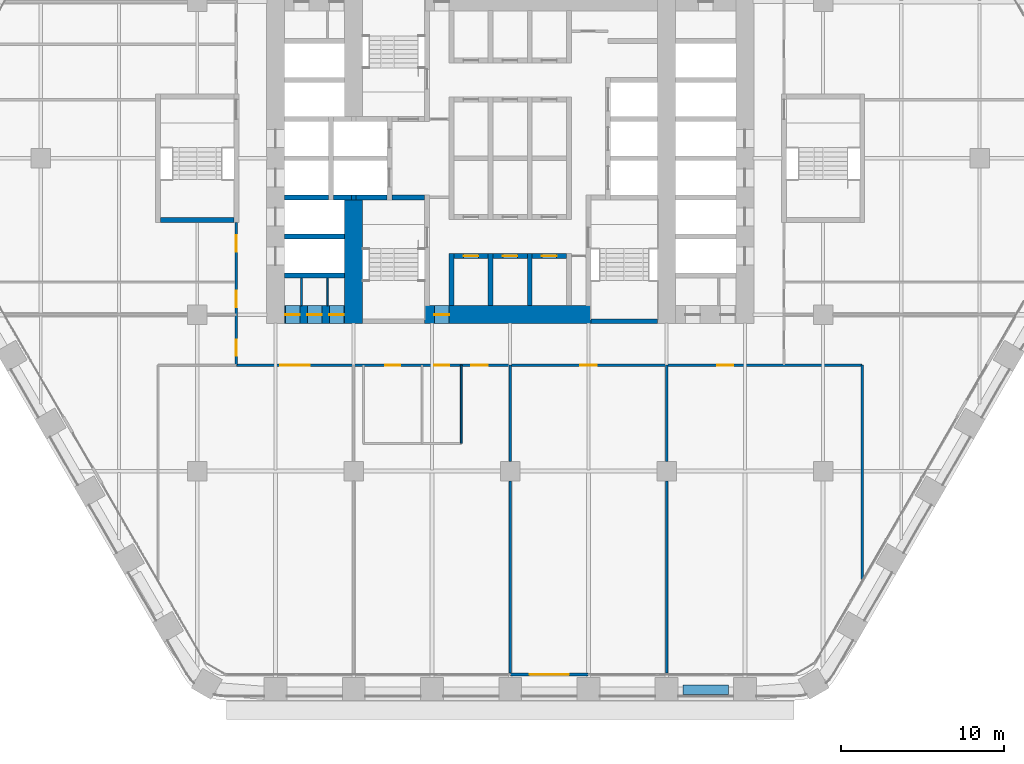
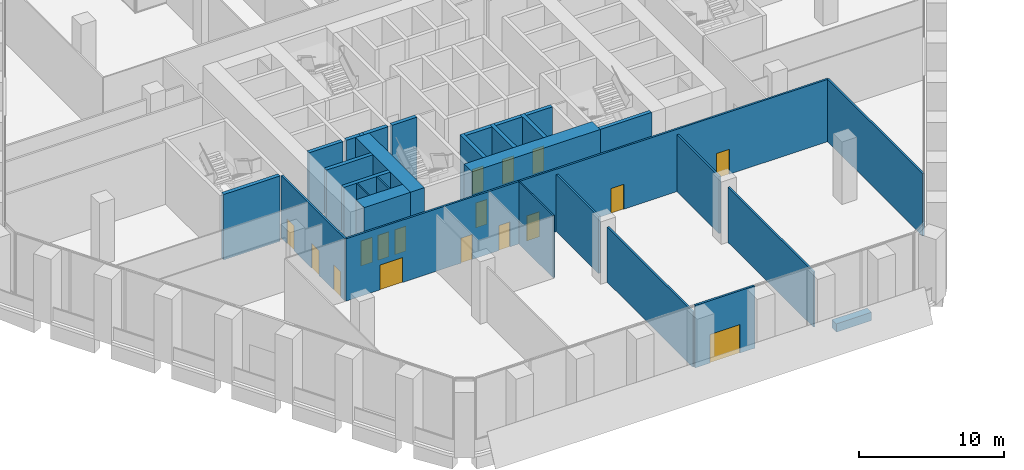
# One storey, part 19 of 30: 30 walls, 17 doors, 17 openings.
"""IFC4 building model written with IfcOpenShell, lengths in metres."""

from ifc_helpers import new_model, si_unit, direction, frame, frame_2d, origin, place, context, subcontext, project, spatial, rectangle, extrude, material, layer, layer_set, type_object, element, fill, save


model = new_model("IFC4")

# Units and contexts
model_context = context("Model", 3, precision=1e-05, world=origin(), true_north=direction((0.0, 1.0)))
body_context = subcontext(model_context, "Body", "Model", "MODEL_VIEW")
ifc_project = project(units=[si_unit("LENGTHUNIT", "METRE"), si_unit("AREAUNIT", "SQUARE_METRE"), si_unit("VOLUMEUNIT", "CUBIC_METRE"), si_unit("PLANEANGLEUNIT", "RADIAN"), si_unit("MASSUNIT", "GRAM", prefix="KILO")], contexts=[model_context])

# Site, building, storey
site_placement = place(None, origin())
site = spatial("IfcSite", under=ifc_project, at=site_placement, CompositionType="ELEMENT")
building_placement = place(site_placement, origin())
building = spatial("IfcBuilding", under=site, at=building_placement, Name="Kolab Exchange Tower", CompositionType="ELEMENT")
storey_placement = place(building_placement, frame((0.0, 0.0, 38.89990234375)))
storey = spatial("IfcBuildingStorey", under=building, at=storey_placement, Name="L07", CompositionType="ELEMENT", Elevation=38.89990234375)

# Wall, openings, doors
ifc_material_1 = material(Name="Concrete C80/95", Category="concrete")
ifc_layer_1 = layer(ifc_material_1, 1.10009765625)
ifc_layer_set_1 = layer_set([ifc_layer_1], Name="Concrete C80/95")
wall_type_1 = type_object("IfcWallType", Name="CORE WALL 1100 C80/95", PredefinedType="SHEAR", material=ifc_layer_set_1)
wall_1_placement = place(storey_placement, frame((-13.85009765625, -9.60009765625, -0.25), z_axis=(0.0, 0.0, 1.0), x_axis=(1.0, 0.0, 0.0)))
wall_1 = element("IfcWall", 1, at=wall_1_placement, inside=storey, type_object=wall_type_1, Name="wall/L07/core/002", PredefinedType="SHEAR", context=body_context, shape_type="SweptSolid", body=[
    extrude(rectangle(XDim=3.7001953125, YDim=1.10009765625, at=frame_2d((1.85009765625, 0.0))), origin(), (0.0, 0.0, 1.0), 5.5),
])
opening_1_placement = place(wall_1_placement, frame((0.050048828125, 0.0, 0.25)))
opening_1 = element("IfcOpeningElement", 2, at=opening_1_placement, cuts=wall_1, Name="Opening D6-112", PredefinedType="OPENING", context=body_context, shape_type="SweptSolid", body=[
    extrude(rectangle(XDim=0.89990234375, YDim=2.10009765625, at=frame_2d((0.449951171875, 1.050048828125))), frame((0.0, 0.56005859375, 0.0), z_axis=(0.0, -1.0, 0.0), x_axis=(1.0, 0.0, 0.0)), (0.0, 0.0, 1.0), 1.1201171875),
])
opening_2_placement = place(wall_1_placement, frame((1.39990234375, 0.0, 0.25)))
opening_2 = element("IfcOpeningElement", 3, at=opening_2_placement, cuts=wall_1, Name="Opening D6-113", PredefinedType="OPENING", context=body_context, shape_type="SweptSolid", body=[
    extrude(rectangle(XDim=0.89990234375, YDim=2.10009765625, at=frame_2d((0.449951171875, 1.050048828125))), frame((0.0, 0.56005859375, 0.0), z_axis=(0.0, -1.0, 0.0), x_axis=(1.0, 0.0, 0.0)), (0.0, 0.0, 1.0), 1.1201171875),
])
opening_3_placement = place(wall_1_placement, frame((2.75, 0.0, 0.25)))
opening_3 = element("IfcOpeningElement", 4, at=opening_3_placement, cuts=wall_1, Name="Opening D6-102", PredefinedType="OPENING", context=body_context, shape_type="SweptSolid", body=[
    extrude(rectangle(XDim=0.89990234375, YDim=2.10009765625, at=frame_2d((0.449951171875, 1.050048828125))), frame((0.0, 0.56005859375, 0.0), z_axis=(0.0, -1.0, 0.0), x_axis=(1.0, 0.0, 0.0)), (0.0, 0.0, 1.0), 1.1201171875),
])
ifc_material_2 = material(Name="Steel S235", Category="steel")
door_type_1 = type_object("IfcDoorType", Name="CORE DOOR 900 EI 120", OperationType="SINGLE_SWING_LEFT", PredefinedType="DOOR", material=ifc_material_2)
door_1_placement = place(opening_1_placement, origin())
door_1 = element("IfcDoor", 5, at=door_1_placement, inside=storey, type_object=door_type_1, Name="Service room door", OperationType="SINGLE_SWING_RIGHT", OverallHeight=2.10009765625, OverallWidth=0.89990234375, PredefinedType="DOOR", context=body_context, shape_type="SweptSolid", body=[
    extrude(rectangle(XDim=0.89990234375, YDim=2.10009765625, at=frame_2d((0.449951171875, 1.050048828125))), frame((0.0, 0.02490234375, 0.0), z_axis=(0.0, -1.0, 0.0), x_axis=(1.0, 0.0, 0.0)), (0.0, 0.0, 1.0), 0.050048828125),
])
fill(opening_1, door_1)
door_2_placement = place(opening_2_placement, origin())
door_2 = element("IfcDoor", 6, at=door_2_placement, inside=storey, type_object=door_type_1, Name="Service room door", OperationType="SINGLE_SWING_LEFT", OverallHeight=2.10009765625, OverallWidth=0.89990234375, PredefinedType="DOOR", context=body_context, shape_type="SweptSolid", body=[
    extrude(rectangle(XDim=0.89990234375, YDim=2.10009765625, at=frame_2d((0.449951171875, 1.050048828125))), frame((0.0, 0.02490234375, 0.0), z_axis=(0.0, -1.0, 0.0), x_axis=(1.0, 0.0, 0.0)), (0.0, 0.0, 1.0), 0.050048828125),
])
fill(opening_2, door_2)
door_3_placement = place(opening_3_placement, origin())
door_3 = element("IfcDoor", 7, at=door_3_placement, inside=storey, type_object=door_type_1, Name="Service room door", OperationType="SINGLE_SWING_LEFT", OverallHeight=2.10009765625, OverallWidth=0.89990234375, PredefinedType="DOOR", context=body_context, shape_type="SweptSolid", body=[
    extrude(rectangle(XDim=0.89990234375, YDim=2.10009765625, at=frame_2d((0.449951171875, 1.050048828125))), frame((0.0, 0.02490234375, 0.0), z_axis=(0.0, -1.0, 0.0), x_axis=(1.0, 0.0, 0.0)), (0.0, 0.0, 1.0), 0.050048828125),
])
fill(opening_3, door_3)

# Wall, opening, door
wall_2_placement = place(storey_placement, frame((-5.25, -9.60009765625, -0.25), z_axis=(0.0, 0.0, 1.0), x_axis=(1.0, 0.0, 0.0)))
wall_2 = element("IfcWall", 8, at=wall_2_placement, inside=storey, type_object=wall_type_1, Name="wall/L07/core/003", PredefinedType="SHEAR", context=body_context, shape_type="SweptSolid", body=[
    extrude(rectangle(XDim=10.199951171875, YDim=1.10009765625, at=frame_2d((5.10009765625, 0.0))), origin(), (0.0, 0.0, 1.0), 5.5),
])
opening_4_placement = place(wall_2_placement, frame((0.60009765625, 0.0, 0.25)))
opening_4 = element("IfcOpeningElement", 9, at=opening_4_placement, cuts=wall_2, Name="Opening D6-096", PredefinedType="OPENING", context=body_context, shape_type="SweptSolid", body=[
    extrude(rectangle(XDim=0.89990234375, YDim=2.10009765625, at=frame_2d((0.449951171875, 1.050048828125))), frame((0.0, 0.56005859375, 0.0), z_axis=(0.0, -1.0, 0.0), x_axis=(1.0, 0.0, 0.0)), (0.0, 0.0, 1.0), 1.1201171875),
])
door_4_placement = place(opening_4_placement, origin())
door_4 = element("IfcDoor", 10, at=door_4_placement, inside=storey, type_object=door_type_1, Name="Core lobby door", OperationType="SINGLE_SWING_RIGHT", OverallHeight=2.10009765625, OverallWidth=0.89990234375, PredefinedType="DOOR", context=body_context, shape_type="SweptSolid", body=[
    extrude(rectangle(XDim=0.89990234375, YDim=2.10009765625, at=frame_2d((0.449951171875, 1.050048828125))), frame((0.0, 0.02490234375, 0.0), z_axis=(0.0, -1.0, 0.0), x_axis=(1.0, 0.0, 0.0)), (0.0, 0.0, 1.0), 0.050048828125),
])
fill(opening_4, door_4)

# Wall
wall_3_placement = place(storey_placement, frame((-9.60009765625, -10.14990234375, -0.25), z_axis=(0.0, 0.0, 1.0), x_axis=(0.0, 1.0, 0.0)))
element("IfcWall", 11, at=wall_3_placement, inside=storey, type_object=wall_type_1, Name="wall/L07/core/059", PredefinedType="SHEAR", context=body_context, shape_type="SweptSolid", body=[
    extrude(rectangle(XDim=7.599853515625, YDim=1.10009765625, at=frame_2d((3.7998046875, 0.0))), origin(), (0.0, 0.0, 1.0), 5.5),
])

# Wall, opening, door
ifc_material_3 = material(Name="Aluminium EN AW-6063 T6", Category="aluminium")
ifc_layer_2 = layer(ifc_material_3, 0.159912109375)
ifc_layer_set_2 = layer_set([ifc_layer_2], Name="Aluminium EN AW-6063 T6")
wall_type_2 = type_object("IfcWallType", Name="DOOR SURROUND WALL 160 ALUMINIUM FRAMED", PredefinedType="PARTITIONING", material=ifc_layer_set_2)
wall_4_placement = place(storey_placement, frame((4.77001953125, -31.67529296875, 0.0), z_axis=(0.0, 0.0, 1.0), x_axis=(-1.0, 0.0, 0.0)))
wall_4 = element("IfcWall", 12, at=wall_4_placement, inside=storey, type_object=wall_type_2, Name="Door surround wall", PredefinedType="PARTITIONING", context=body_context, shape_type="SweptSolid", body=[
    extrude(rectangle(XDim=4.739990234375, YDim=0.159912109375, at=frame_2d((2.3701171875, 0.0))), origin(), (0.0, 0.0, 1.0), 5.25),
])
opening_5_placement = place(wall_4_placement, frame((1.169921875, 0.0, 0.0)))
opening_5 = element("IfcOpeningElement", 13, at=opening_5_placement, cuts=wall_4, Name="Opening GD1-020", PredefinedType="OPENING", context=body_context, shape_type="SweptSolid", body=[
    extrude(rectangle(XDim=2.39990234375, YDim=2.39990234375, at=frame_2d((1.199951171875, 1.199951171875))), frame((0.0, 0.08984375, 0.0), z_axis=(0.0, -1.0, 0.0), x_axis=(1.0, 0.0, 0.0)), (0.0, 0.0, 1.0), 0.179931640625),
])
door_type_2 = type_object("IfcDoorType", Name="LOGGIA SLIDING GLASS DOOR 2400 X 2400", OperationType="DOUBLE_DOOR_SINGLE_SWING", PredefinedType="DOOR", material=ifc_material_3)
door_5_placement = place(opening_5_placement, origin())
door_5 = element("IfcDoor", 14, at=door_5_placement, inside=storey, type_object=door_type_2, Name="Loggia door", OperationType="DOUBLE_DOOR_SLIDING", OverallHeight=2.39990234375, OverallWidth=2.39990234375, PredefinedType="DOOR", context=body_context, shape_type="SweptSolid", body=[
    extrude(rectangle(XDim=2.39990234375, YDim=2.39990234375, at=frame_2d((1.199951171875, 1.199951171875))), frame((0.0, 0.02490234375, 0.0), z_axis=(0.0, -1.0, 0.0), x_axis=(1.0, 0.0, 0.0)), (0.0, 0.0, 1.0), 0.050048828125),
])
fill(opening_5, door_5)

# Wall
ifc_material_4 = material(Name="Concrete C50/60", Category="concrete")
ifc_layer_3 = layer(ifc_material_4, 0.300048828125)
ifc_layer_set_3 = layer_set([ifc_layer_3], Name="Concrete C50/60")
wall_type_3 = type_object("IfcWallType", Name="LIFT SHAFT WALL 300 C50/60", PredefinedType="STANDARD", material=ifc_layer_set_3)
wall_5_placement = place(storey_placement, frame((-13.85009765625, -7.199951171875, -0.25), z_axis=(0.0, 0.0, 1.0), x_axis=(1.0, 0.0, 0.0)))
element("IfcWall", 15, at=wall_5_placement, inside=storey, type_object=wall_type_3, Name="wall/L07/core/005", PredefinedType="STANDARD", context=body_context, shape_type="SweptSolid", body=[
    extrude(rectangle(XDim=3.7001953125, YDim=0.300048828125, at=frame_2d((1.85009765625, 0.0))), origin(), (0.0, 0.0, 1.0), 5.5),
])

# Wall, opening, door
wall_6_placement = place(storey_placement, frame((-3.449951171875, -6.0, -0.25), z_axis=(0.0, 0.0, 1.0), x_axis=(1.0, 0.0, 0.0)))
wall_6 = element("IfcWall", 16, at=wall_6_placement, inside=storey, type_object=wall_type_3, Name="wall/L07/core/007", PredefinedType="STANDARD", context=body_context, shape_type="SweptSolid", body=[
    extrude(rectangle(XDim=2.099853515625, YDim=0.300048828125, at=frame_2d((1.0498046875, 0.0))), origin(), (0.0, 0.0, 1.0), 5.5),
])
opening_6_placement = place(wall_6_placement, frame((0.60009765625, 0.0, 0.25)))
opening_6 = element("IfcOpeningElement", 17, at=opening_6_placement, cuts=wall_6, Name="Opening D6-095", PredefinedType="OPENING", context=body_context, shape_type="SweptSolid", body=[
    extrude(rectangle(XDim=0.89990234375, YDim=2.10009765625, at=frame_2d((0.449951171875, 1.050048828125))), frame((0.0, 0.16015625, 0.0), z_axis=(0.0, -1.0, 0.0), x_axis=(1.0, 0.0, 0.0)), (0.0, 0.0, 1.0), 0.320068359375),
])
door_6_placement = place(opening_6_placement, frame((0.89990234375, 0.0, 0.0), z_axis=(0.0, 0.0, 1.0), x_axis=(-1.0, 0.0, 0.0)))
door_6 = element("IfcDoor", 18, at=door_6_placement, inside=storey, type_object=door_type_1, Name="Service room door", OperationType="SINGLE_SWING_LEFT", OverallHeight=2.10009765625, OverallWidth=0.89990234375, PredefinedType="DOOR", context=body_context, shape_type="SweptSolid", body=[
    extrude(rectangle(XDim=0.89990234375, YDim=2.10009765625, at=frame_2d((0.449951171875, 1.050048828125))), frame((0.0, 0.02490234375, 0.0), z_axis=(0.0, -1.0, 0.0), x_axis=(1.0, 0.0, 0.0)), (0.0, 0.0, 1.0), 0.050048828125),
])
fill(opening_6, door_6)

wall_7_placement = place(storey_placement, frame((-1.050048828125, -6.0, -0.25), z_axis=(0.0, 0.0, 1.0), x_axis=(1.0, 0.0, 0.0)))
wall_7 = element("IfcWall", 19, at=wall_7_placement, inside=storey, type_object=wall_type_3, Name="wall/L07/core/008", PredefinedType="STANDARD", context=body_context, shape_type="SweptSolid", body=[
    extrude(rectangle(XDim=2.10009765625, YDim=0.300048828125, at=frame_2d((1.050048828125, 0.0))), origin(), (0.0, 0.0, 1.0), 5.5),
])
opening_7_placement = place(wall_7_placement, frame((0.60009765625, 0.0, 0.25)))
opening_7 = element("IfcOpeningElement", 20, at=opening_7_placement, cuts=wall_7, Name="Opening D6-094", PredefinedType="OPENING", context=body_context, shape_type="SweptSolid", body=[
    extrude(rectangle(XDim=0.89990234375, YDim=2.10009765625, at=frame_2d((0.449951171875, 1.050048828125))), frame((0.0, 0.16015625, 0.0), z_axis=(0.0, -1.0, 0.0), x_axis=(1.0, 0.0, 0.0)), (0.0, 0.0, 1.0), 0.320068359375),
])
door_7_placement = place(opening_7_placement, frame((0.89990234375, 0.0, 0.0), z_axis=(0.0, 0.0, 1.0), x_axis=(-1.0, 0.0, 0.0)))
door_7 = element("IfcDoor", 21, at=door_7_placement, inside=storey, type_object=door_type_1, Name="Service room door", OperationType="SINGLE_SWING_LEFT", OverallHeight=2.10009765625, OverallWidth=0.89990234375, PredefinedType="DOOR", context=body_context, shape_type="SweptSolid", body=[
    extrude(rectangle(XDim=0.89990234375, YDim=2.10009765625, at=frame_2d((0.449951171875, 1.050048828125))), frame((0.0, 0.02490234375, 0.0), z_axis=(0.0, -1.0, 0.0), x_axis=(1.0, 0.0, 0.0)), (0.0, 0.0, 1.0), 0.050048828125),
])
fill(opening_7, door_7)

wall_8_placement = place(storey_placement, frame((1.35009765625, -6.0, -0.25), z_axis=(0.0, 0.0, 1.0), x_axis=(1.0, 0.0, 0.0)))
wall_8 = element("IfcWall", 22, at=wall_8_placement, inside=storey, type_object=wall_type_3, Name="wall/L07/core/009", PredefinedType="STANDARD", context=body_context, shape_type="SweptSolid", body=[
    extrude(rectangle(XDim=2.099853515625, YDim=0.300048828125, at=frame_2d((1.0498046875, 0.0))), origin(), (0.0, 0.0, 1.0), 5.5),
])
opening_8_placement = place(wall_8_placement, frame((0.60009765625, 0.0, 0.25)))
opening_8 = element("IfcOpeningElement", 23, at=opening_8_placement, cuts=wall_8, Name="Opening D6-093", PredefinedType="OPENING", context=body_context, shape_type="SweptSolid", body=[
    extrude(rectangle(XDim=0.89990234375, YDim=2.10009765625, at=frame_2d((0.449951171875, 1.050048828125))), frame((0.0, 0.16015625, 0.0), z_axis=(0.0, -1.0, 0.0), x_axis=(1.0, 0.0, 0.0)), (0.0, 0.0, 1.0), 0.320068359375),
])
door_8_placement = place(opening_8_placement, frame((0.89990234375, 0.0, 0.0), z_axis=(0.0, 0.0, 1.0), x_axis=(-1.0, 0.0, 0.0)))
door_8 = element("IfcDoor", 24, at=door_8_placement, inside=storey, type_object=door_type_1, Name="Service room door", OperationType="SINGLE_SWING_RIGHT", OverallHeight=2.10009765625, OverallWidth=0.89990234375, PredefinedType="DOOR", context=body_context, shape_type="SweptSolid", body=[
    extrude(rectangle(XDim=0.89990234375, YDim=2.10009765625, at=frame_2d((0.449951171875, 1.050048828125))), frame((0.0, 0.02490234375, 0.0), z_axis=(0.0, -1.0, 0.0), x_axis=(1.0, 0.0, 0.0)), (0.0, 0.0, 1.0), 0.050048828125),
])
fill(opening_8, door_8)

# Walls
wall_9_placement = place(storey_placement, frame((-13.85009765625, -4.800048828125, -0.25), z_axis=(0.0, 0.0, 1.0), x_axis=(1.0, 0.0, 0.0)))
element("IfcWall", 25, at=wall_9_placement, inside=storey, type_object=wall_type_3, Name="wall/L07/core/010", PredefinedType="STANDARD", context=body_context, shape_type="SweptSolid", body=[
    extrude(rectangle(XDim=3.7001953125, YDim=0.300048828125, at=frame_2d((1.85009765625, 0.0))), origin(), (0.0, 0.0, 1.0), 5.5),
])
wall_10_placement = place(storey_placement, frame((-13.85009765625, -2.39990234375, -0.25), z_axis=(0.0, 0.0, 1.0), x_axis=(1.0, 0.0, 0.0)))
element("IfcWall", 26, at=wall_10_placement, inside=storey, type_object=wall_type_3, Name="wall/L07/core/017", PredefinedType="STANDARD", context=body_context, shape_type="SweptSolid", body=[
    extrude(rectangle(XDim=2.7001953125, YDim=0.300048828125, at=frame_2d((1.35009765625, 0.0))), origin(), (0.0, 0.0, 1.0), 5.5),
])
wall_11_placement = place(storey_placement, frame((-10.85009765625, -2.39990234375, -0.25), z_axis=(0.0, 0.0, 1.0), x_axis=(1.0, 0.0, 0.0)))
element("IfcWall", 27, at=wall_11_placement, inside=storey, type_object=wall_type_3, Name="wall/L07/core/018", PredefinedType="STANDARD", context=body_context, shape_type="SweptSolid", body=[
    extrude(rectangle(XDim=1.10009765625, YDim=0.300048828125, at=frame_2d((0.550048828125, 0.0))), origin(), (0.0, 0.0, 1.0), 5.5),
])
for number, where, z_axis, x_axis, name in (
    (28, (-3.60009765625, -9.050048828125, -0.25), (0.0, 0.0, 1.0), (0.0, 1.0, 0.0), "wall/L07/core/066"),
    (29, (-1.199951171875, -9.050048828125, -0.25), (0.0, 0.0, 1.0), (0.0, 1.0, 0.0), "wall/L07/core/069"),
    (30, (1.199951171875, -9.050048828125, -0.25), (0.0, 0.0, 1.0), (0.0, 1.0, 0.0), "wall/L07/core/072"),
):
    element("IfcWall", number, at=place(storey_placement, frame(where, z_axis=z_axis, x_axis=x_axis)), inside=storey, type_object=wall_type_3, Name=name, PredefinedType="STANDARD", context=body_context, shape_type="SweptSolid", body=[
        extrude(rectangle(XDim=3.199951171875, YDim=0.300048828125, at=frame_2d((1.60009765625, 0.0))), origin(), (0.0, 0.0, 1.0), 5.5),
    ])
ifc_material_5 = material(Name="Gypsum board", Category="gypsum")
ifc_layer_4 = layer(ifc_material_5, 0.10009765625)
ifc_layer_set_4 = layer_set([ifc_layer_4], Name="Gypsum board")
wall_type_4 = type_object("IfcWallType", Name="PARTITION 100", PredefinedType="PARTITIONING", material=ifc_layer_set_4)
wall_12_placement = place(storey_placement, frame((-3.0, -17.5, 0.0), z_axis=(0.0, 0.0, 1.0), x_axis=(0.0, 1.0, 0.0)))
element("IfcWall", 31, at=wall_12_placement, inside=storey, type_object=wall_type_4, Name="Partition 015", PredefinedType="PARTITIONING", context=body_context, shape_type="SweptSolid", body=[
    extrude(rectangle(XDim=4.800048828125, YDim=0.10009765625, at=frame_2d((2.39990234375, 0.0))), origin(), (0.0, 0.0, 1.0), 5.25),
])
for number, where, z_axis, x_axis, name in (
    (32, (-11.199951171875, -9.050048828125, 0.0), (0.0, 0.0, 1.0), (0.0, 1.0, 0.0), "Partition 023"),
    (33, (-12.800048828125, -9.050048828125, 0.0), (0.0, 0.0, 1.0), (0.0, 1.0, 0.0), "Partition 025"),
):
    element("IfcWall", number, at=place(storey_placement, frame(where, z_axis=z_axis, x_axis=x_axis)), inside=storey, type_object=wall_type_4, Name=name, PredefinedType="PARTITIONING", context=body_context, shape_type="SweptSolid", body=[
        extrude(rectangle(XDim=1.699951171875, YDim=0.10009765625, at=frame_2d((0.85009765625, 0.0))), origin(), (0.0, 0.0, 1.0), 5.25),
    ])
ifc_layer_5 = layer(ifc_material_5, 0.14990234375)
ifc_layer_set_5 = layer_set([ifc_layer_5], Name="Gypsum board")
wall_type_5 = type_object("IfcWallType", Name="PARTITION 150 FIRE-RATED", PredefinedType="PARTITIONING", material=ifc_layer_set_5)
wall_13_placement = place(storey_placement, frame((21.60009765625, -25.8583984375, 0.0), z_axis=(0.0, 0.0, 1.0), x_axis=(0.0, 1.0, 0.0)))
element("IfcWall", 34, at=wall_13_placement, inside=storey, type_object=wall_type_5, Name="Partition 000", PredefinedType="PARTITIONING", context=body_context, shape_type="SweptSolid", body=[
    extrude(rectangle(XDim=13.158447265625, YDim=0.14990234375, at=frame_2d((6.5791015625, 0.0))), origin(), (0.0, 0.0, 1.0), 5.25),
])
wall_14_placement = place(storey_placement, frame((9.60009765625, -31.58544921875, 0.0), z_axis=(0.0, 0.0, 1.0), x_axis=(0.0, 1.0, 0.0)))
element("IfcWall", 35, at=wall_14_placement, inside=storey, type_object=wall_type_5, Name="Partition 008", PredefinedType="PARTITIONING", context=body_context, shape_type="SweptSolid", body=[
    extrude(rectangle(XDim=11.785400390625, YDim=0.14990234375, at=frame_2d((5.892578125, 0.0))), origin(), (0.0, 0.0, 1.0), 4.64208984375),
])
wall_15_placement = place(storey_placement, frame((9.60009765625, -18.60009765625, 0.0), z_axis=(0.0, 0.0, 1.0), x_axis=(0.0, 1.0, 0.0)))
element("IfcWall", 36, at=wall_15_placement, inside=storey, type_object=wall_type_5, Name="Partition 009", PredefinedType="PARTITIONING", context=body_context, shape_type="SweptSolid", body=[
    extrude(rectangle(XDim=5.900146484375, YDim=0.14990234375, at=frame_2d((2.9501953125, 0.0))), origin(), (0.0, 0.0, 1.0), 4.793212890625),
])
wall_16_placement = place(storey_placement, frame((0.0, -31.595458984375, 0.0), z_axis=(0.0, 0.0, 1.0), x_axis=(0.0, 1.0, 0.0)))
element("IfcWall", 37, at=wall_16_placement, inside=storey, type_object=wall_type_5, Name="Partition 013", PredefinedType="PARTITIONING", context=body_context, shape_type="SweptSolid", body=[
    extrude(rectangle(XDim=11.79541015625, YDim=0.14990234375, at=frame_2d((5.897705078125, 0.0))), origin(), (0.0, 0.0, 1.0), 4.64208984375),
])
wall_17_placement = place(storey_placement, frame((0.0, -18.60009765625, 0.0), z_axis=(0.0, 0.0, 1.0), x_axis=(0.0, 1.0, 0.0)))
element("IfcWall", 38, at=wall_17_placement, inside=storey, type_object=wall_type_5, Name="Partition 014", PredefinedType="PARTITIONING", context=body_context, shape_type="SweptSolid", body=[
    extrude(rectangle(XDim=5.900146484375, YDim=0.14990234375, at=frame_2d((2.9501953125, 0.0))), origin(), (0.0, 0.0, 1.0), 4.793212890625),
])

# Wall, openings, doors
wall_18_placement = place(storey_placement, frame((-16.800048828125, -12.699951171875, 0.0), z_axis=(0.0, 0.0, 1.0), x_axis=(0.0, 1.0, 0.0)))
wall_18 = element("IfcWall", 39, at=wall_18_placement, inside=storey, type_object=wall_type_5, Name="Partition 026", PredefinedType="PARTITIONING", context=body_context, shape_type="SweptSolid", body=[
    extrude(rectangle(XDim=8.75, YDim=0.14990234375, at=frame_2d((4.375, 0.0))), origin(), (0.0, 0.0, 1.0), 5.25),
])
opening_9_placement = place(wall_18_placement, frame((0.570068359375, 0.0, 0.0)))
opening_9 = element("IfcOpeningElement", 40, at=opening_9_placement, cuts=wall_18, Name="Opening D1-103", PredefinedType="OPENING", context=body_context, shape_type="SweptSolid", body=[
    extrude(rectangle(XDim=1.0, YDim=2.10009765625, at=frame_2d((0.5, 1.050048828125))), frame((0.0, 0.0849609375, 0.0), z_axis=(0.0, -1.0, 0.0), x_axis=(1.0, 0.0, 0.0)), (0.0, 0.0, 1.0), 0.169921875),
])
opening_10_placement = place(wall_18_placement, frame((3.56494140625, 0.0, 0.0)))
opening_10 = element("IfcOpeningElement", 41, at=opening_10_placement, cuts=wall_18, Name="Opening D1-104", PredefinedType="OPENING", context=body_context, shape_type="SweptSolid", body=[
    extrude(rectangle(XDim=1.0, YDim=2.10009765625, at=frame_2d((0.5, 1.050048828125))), frame((0.0, 0.0849609375, 0.0), z_axis=(0.0, -1.0, 0.0), x_axis=(1.0, 0.0, 0.0)), (0.0, 0.0, 1.0), 0.169921875),
])
opening_11_placement = place(wall_18_placement, frame((6.97509765625, 0.0, 0.0)))
opening_11 = element("IfcOpeningElement", 42, at=opening_11_placement, cuts=wall_18, Name="Opening D1-105", PredefinedType="OPENING", context=body_context, shape_type="SweptSolid", body=[
    extrude(rectangle(XDim=1.0, YDim=2.10009765625, at=frame_2d((0.5, 1.050048828125))), frame((0.0, 0.0849609375, 0.0), z_axis=(0.0, -1.0, 0.0), x_axis=(1.0, 0.0, 0.0)), (0.0, 0.0, 1.0), 0.169921875),
])
door_type_3 = type_object("IfcDoorType", Name="FLUSH DOOR 1000 FD60", OperationType="SINGLE_SWING_LEFT", PredefinedType="DOOR", material=ifc_material_2)
door_9_placement = place(opening_9_placement, origin())
door_9 = element("IfcDoor", 43, at=door_9_placement, inside=storey, type_object=door_type_3, Name="Door L07-065", OperationType="SINGLE_SWING_LEFT", OverallHeight=2.10009765625, OverallWidth=1.0, PredefinedType="DOOR", context=body_context, shape_type="SweptSolid", body=[
    extrude(rectangle(XDim=1.0, YDim=2.10009765625, at=frame_2d((0.5, 1.050048828125))), frame((0.0, 0.02490234375, 0.0), z_axis=(0.0, -1.0, 0.0), x_axis=(1.0, 0.0, 0.0)), (0.0, 0.0, 1.0), 0.050048828125),
])
fill(opening_9, door_9)
door_10_placement = place(opening_10_placement, origin())
door_10 = element("IfcDoor", 44, at=door_10_placement, inside=storey, type_object=door_type_3, Name="Door L07-066", OperationType="SINGLE_SWING_LEFT", OverallHeight=2.10009765625, OverallWidth=1.0, PredefinedType="DOOR", context=body_context, shape_type="SweptSolid", body=[
    extrude(rectangle(XDim=1.0, YDim=2.10009765625, at=frame_2d((0.5, 1.050048828125))), frame((0.0, 0.02490234375, 0.0), z_axis=(0.0, -1.0, 0.0), x_axis=(1.0, 0.0, 0.0)), (0.0, 0.0, 1.0), 0.050048828125),
])
fill(opening_10, door_10)
door_11_placement = place(opening_11_placement, origin())
door_11 = element("IfcDoor", 45, at=door_11_placement, inside=storey, type_object=door_type_3, Name="Door L07-067", OperationType="SINGLE_SWING_RIGHT", OverallHeight=2.10009765625, OverallWidth=1.0, PredefinedType="DOOR", context=body_context, shape_type="SweptSolid", body=[
    extrude(rectangle(XDim=1.0, YDim=2.10009765625, at=frame_2d((0.5, 1.050048828125))), frame((0.0, 0.02490234375, 0.0), z_axis=(0.0, -1.0, 0.0), x_axis=(1.0, 0.0, 0.0)), (0.0, 0.0, 1.0), 0.050048828125),
])
fill(opening_11, door_11)

wall_19_placement = place(storey_placement, frame((-16.800048828125, -12.699951171875, 0.0), z_axis=(0.0, 0.0, 1.0), x_axis=(1.0, 0.0, 0.0)))
wall_19 = element("IfcWall", 46, at=wall_19_placement, inside=storey, type_object=wall_type_5, Name="Partition 032", PredefinedType="PARTITIONING", context=body_context, shape_type="SweptSolid", body=[
    extrude(rectangle(XDim=38.400146484375, YDim=0.14990234375, at=frame_2d((19.2001953125, 0.0))), origin(), (0.0, 0.0, 1.0), 5.25),
])
opening_12_placement = place(wall_19_placement, frame((2.699951171875, 0.0, 0.0)))
opening_12 = element("IfcOpeningElement", 47, at=opening_12_placement, cuts=wall_19, Name="Opening D2-021", PredefinedType="OPENING", context=body_context, shape_type="SweptSolid", body=[
    extrude(rectangle(XDim=1.800048828125, YDim=2.10009765625, at=frame_2d((0.89990234375, 1.050048828125))), frame((0.0, 0.0849609375, 0.0), z_axis=(0.0, -1.0, 0.0), x_axis=(1.0, 0.0, 0.0)), (0.0, 0.0, 1.0), 0.169921875),
])
opening_13_placement = place(wall_19_placement, frame((14.4150390625, 0.0, 0.0)))
opening_13 = element("IfcOpeningElement", 48, at=opening_13_placement, cuts=wall_19, Name="Opening D1-095", PredefinedType="OPENING", context=body_context, shape_type="SweptSolid", body=[
    extrude(rectangle(XDim=1.0, YDim=2.10009765625, at=frame_2d((0.5, 1.050048828125))), frame((0.0, 0.0849609375, 0.0), z_axis=(0.0, -1.0, 0.0), x_axis=(1.0, 0.0, 0.0)), (0.0, 0.0, 1.0), 0.169921875),
])
opening_14_placement = place(wall_19_placement, frame((21.10009765625, 0.0, 0.0)))
opening_14 = element("IfcOpeningElement", 49, at=opening_14_placement, cuts=wall_19, Name="Opening D1-096", PredefinedType="OPENING", context=body_context, shape_type="SweptSolid", body=[
    extrude(rectangle(XDim=1.0, YDim=2.10009765625, at=frame_2d((0.5, 1.050048828125))), frame((0.0, 0.0849609375, 0.0), z_axis=(0.0, -1.0, 0.0), x_axis=(1.0, 0.0, 0.0)), (0.0, 0.0, 1.0), 0.169921875),
])
opening_15_placement = place(wall_19_placement, frame((29.5, 0.0, 0.0)))
opening_15 = element("IfcOpeningElement", 50, at=opening_15_placement, cuts=wall_19, Name="Opening D1-097", PredefinedType="OPENING", context=body_context, shape_type="SweptSolid", body=[
    extrude(rectangle(XDim=1.0, YDim=2.10009765625, at=frame_2d((0.5, 1.050048828125))), frame((0.0, 0.0849609375, 0.0), z_axis=(0.0, -1.0, 0.0), x_axis=(1.0, 0.0, 0.0)), (0.0, 0.0, 1.0), 0.169921875),
])
opening_16_placement = place(wall_19_placement, frame((9.14990234375, 0.0, 0.0)))
opening_16 = element("IfcOpeningElement", 51, at=opening_16_placement, cuts=wall_19, Name="Opening D3-011", PredefinedType="OPENING", context=body_context, shape_type="SweptSolid", body=[
    extrude(rectangle(XDim=0.89990234375, YDim=2.10009765625, at=frame_2d((0.449951171875, 1.050048828125))), frame((0.0, 0.0849609375, 0.0), z_axis=(0.0, -1.0, 0.0), x_axis=(1.0, 0.0, 0.0)), (0.0, 0.0, 1.0), 0.169921875),
])
opening_17_placement = place(wall_19_placement, frame((12.14990234375, 0.0, 0.0)))
opening_17 = element("IfcOpeningElement", 52, at=opening_17_placement, cuts=wall_19, Name="Opening D3-012", PredefinedType="OPENING", context=body_context, shape_type="SweptSolid", body=[
    extrude(rectangle(XDim=0.89990234375, YDim=2.10009765625, at=frame_2d((0.449951171875, 1.050048828125))), frame((0.0, 0.0849609375, 0.0), z_axis=(0.0, -1.0, 0.0), x_axis=(1.0, 0.0, 0.0)), (0.0, 0.0, 1.0), 0.169921875),
])
door_type_4 = type_object("IfcDoorType", Name="DOUBLE DOOR 1800 FD60", OperationType="DOUBLE_DOOR_SINGLE_SWING", PredefinedType="DOOR", material=ifc_material_2)
door_12_placement = place(opening_12_placement, frame((1.800048828125, 0.0, 0.0), z_axis=(0.0, 0.0, 1.0), x_axis=(-1.0, 0.0, 0.0)))
door_12 = element("IfcDoor", 53, at=door_12_placement, inside=storey, type_object=door_type_4, Name="Door L07-056", OperationType="SINGLE_SWING_RIGHT", OverallHeight=2.10009765625, OverallWidth=1.800048828125, PredefinedType="DOOR", context=body_context, shape_type="SweptSolid", body=[
    extrude(rectangle(XDim=1.800048828125, YDim=2.10009765625, at=frame_2d((0.89990234375, 1.050048828125))), frame((0.0, 0.02490234375, 0.0), z_axis=(0.0, -1.0, 0.0), x_axis=(1.0, 0.0, 0.0)), (0.0, 0.0, 1.0), 0.050048828125),
])
fill(opening_12, door_12)
door_13_placement = place(opening_13_placement, frame((1.0, 0.0, 0.0), z_axis=(0.0, 0.0, 1.0), x_axis=(-1.0, 0.0, 0.0)))
door_13 = element("IfcDoor", 54, at=door_13_placement, inside=storey, type_object=door_type_3, Name="Door L07-057", OperationType="SINGLE_SWING_LEFT", OverallHeight=2.10009765625, OverallWidth=1.0, PredefinedType="DOOR", context=body_context, shape_type="SweptSolid", body=[
    extrude(rectangle(XDim=1.0, YDim=2.10009765625, at=frame_2d((0.5, 1.050048828125))), frame((0.0, 0.02490234375, 0.0), z_axis=(0.0, -1.0, 0.0), x_axis=(1.0, 0.0, 0.0)), (0.0, 0.0, 1.0), 0.050048828125),
])
fill(opening_13, door_13)
door_14_placement = place(opening_14_placement, frame((1.0, 0.0, 0.0), z_axis=(0.0, 0.0, 1.0), x_axis=(-1.0, 0.0, 0.0)))
door_14 = element("IfcDoor", 55, at=door_14_placement, inside=storey, type_object=door_type_3, Name="Door L07-058", OperationType="SINGLE_SWING_RIGHT", OverallHeight=2.10009765625, OverallWidth=1.0, PredefinedType="DOOR", context=body_context, shape_type="SweptSolid", body=[
    extrude(rectangle(XDim=1.0, YDim=2.10009765625, at=frame_2d((0.5, 1.050048828125))), frame((0.0, 0.02490234375, 0.0), z_axis=(0.0, -1.0, 0.0), x_axis=(1.0, 0.0, 0.0)), (0.0, 0.0, 1.0), 0.050048828125),
])
fill(opening_14, door_14)
door_15_placement = place(opening_15_placement, frame((1.0, 0.0, 0.0), z_axis=(0.0, 0.0, 1.0), x_axis=(-1.0, 0.0, 0.0)))
door_15 = element("IfcDoor", 56, at=door_15_placement, inside=storey, type_object=door_type_3, Name="Door L07-059", OperationType="SINGLE_SWING_LEFT", OverallHeight=2.10009765625, OverallWidth=1.0, PredefinedType="DOOR", context=body_context, shape_type="SweptSolid", body=[
    extrude(rectangle(XDim=1.0, YDim=2.10009765625, at=frame_2d((0.5, 1.050048828125))), frame((0.0, 0.02490234375, 0.0), z_axis=(0.0, -1.0, 0.0), x_axis=(1.0, 0.0, 0.0)), (0.0, 0.0, 1.0), 0.050048828125),
])
fill(opening_15, door_15)
door_type_5 = type_object("IfcDoorType", Name="FLUSH DOOR 900 FD60", OperationType="SINGLE_SWING_LEFT", PredefinedType="DOOR", material=ifc_material_2)
door_16_placement = place(opening_16_placement, frame((0.89990234375, 0.0, 0.0), z_axis=(0.0, 0.0, 1.0), x_axis=(-1.0, 0.0, 0.0)))
door_16 = element("IfcDoor", 57, at=door_16_placement, inside=storey, type_object=door_type_5, Name="Door L07-071", OperationType="SINGLE_SWING_LEFT", OverallHeight=2.10009765625, OverallWidth=0.89990234375, PredefinedType="DOOR", context=body_context, shape_type="SweptSolid", body=[
    extrude(rectangle(XDim=0.89990234375, YDim=2.10009765625, at=frame_2d((0.449951171875, 1.050048828125))), frame((0.0, 0.02490234375, 0.0), z_axis=(0.0, -1.0, 0.0), x_axis=(1.0, 0.0, 0.0)), (0.0, 0.0, 1.0), 0.050048828125),
])
fill(opening_16, door_16)
door_17_placement = place(opening_17_placement, frame((0.89990234375, 0.0, 0.0), z_axis=(0.0, 0.0, 1.0), x_axis=(-1.0, 0.0, 0.0)))
door_17 = element("IfcDoor", 58, at=door_17_placement, inside=storey, type_object=door_type_5, Name="Door L07-072", OperationType="SINGLE_SWING_LEFT", OverallHeight=2.10009765625, OverallWidth=0.89990234375, PredefinedType="DOOR", context=body_context, shape_type="SweptSolid", body=[
    extrude(rectangle(XDim=0.89990234375, YDim=2.10009765625, at=frame_2d((0.449951171875, 1.050048828125))), frame((0.0, 0.02490234375, 0.0), z_axis=(0.0, -1.0, 0.0), x_axis=(1.0, 0.0, 0.0)), (0.0, 0.0, 1.0), 0.050048828125),
])
fill(opening_17, door_17)

# Walls
ifc_material_6 = material(Name="Granite facing", Category="masonry")
ifc_layer_6 = layer(ifc_material_6, 0.0400390625)
ifc_material_7 = material(Name="Concrete C40/50 precast", Category="concrete")
ifc_layer_7 = layer(ifc_material_7, 0.56005859375)
ifc_layer_set_6 = layer_set([ifc_layer_6, ifc_layer_7], Name="Concrete C40/50 precast")
wall_type_6 = type_object("IfcWallType", Name="PLANTER BOX 600 X 700 SOIL DEPTH 550", PredefinedType="USERDEFINED", material=ifc_layer_set_6)
wall_20_placement = place(storey_placement, frame((13.39990234375, -32.60546875, 0.0), z_axis=(0.0, 0.0, 1.0), x_axis=(-1.0, 0.0, 0.0)))
element("IfcWall", 59, at=wall_20_placement, inside=storey, type_object=wall_type_6, Name="Planter", ObjectType="PLANTER", PredefinedType="USERDEFINED", context=body_context, shape_type="SweptSolid", body=[
    extrude(rectangle(XDim=2.7998046875, YDim=0.60009765625, at=frame_2d((1.39990234375, 0.0))), origin(), (0.0, 0.0, 1.0), 0.7001953125),
])
ifc_layer_8 = layer(ifc_material_4, 0.300048828125)
ifc_layer_set_7 = layer_set([ifc_layer_8], Name="Concrete C50/60")
wall_type_7 = type_object("IfcWallType", Name="STAIR ENCLOSURE WALL 300 C50/60", PredefinedType="STANDARD", material=ifc_layer_set_7)
wall_21_placement = place(storey_placement, frame((4.949951171875, -10.0, -0.25), z_axis=(0.0, 0.0, 1.0), x_axis=(1.0, 0.0, 0.0)))
element("IfcWall", 60, at=wall_21_placement, inside=storey, type_object=wall_type_7, Name="wall/L07/core/001", PredefinedType="STANDARD", context=body_context, shape_type="SweptSolid", body=[
    extrude(rectangle(XDim=4.10009765625, YDim=0.300048828125, at=frame_2d((2.050048828125, 0.0))), origin(), (0.0, 0.0, 1.0), 5.5),
])
wall_22_placement = place(storey_placement, frame((-21.449951171875, -3.800048828125, -0.25), z_axis=(0.0, 0.0, 1.0), x_axis=(1.0, 0.0, 0.0)))
element("IfcWall", 61, at=wall_22_placement, inside=storey, type_object=wall_type_7, Name="wall/L07/core/012", PredefinedType="STANDARD", context=body_context, shape_type="SweptSolid", body=[
    extrude(rectangle(XDim=4.5, YDim=0.300048828125, at=frame_2d((2.25, 0.0))), origin(), (0.0, 0.0, 1.0), 5.5),
])
wall_23_placement = place(storey_placement, frame((-9.449951171875, -2.39990234375, -0.25), z_axis=(0.0, 0.0, 1.0), x_axis=(1.0, 0.0, 0.0)))
element("IfcWall", 62, at=wall_23_placement, inside=storey, type_object=wall_type_7, Name="wall/L07/core/019", PredefinedType="STANDARD", context=body_context, shape_type="SweptSolid", body=[
    extrude(rectangle(XDim=1.89990234375, YDim=0.300048828125, at=frame_2d((0.949951171875, 0.0))), origin(), (0.0, 0.0, 1.0), 5.5),
])
wall_24_placement = place(storey_placement, frame((-7.25, -2.39990234375, -0.25), z_axis=(0.0, 0.0, 1.0), x_axis=(1.0, 0.0, 0.0)))
element("IfcWall", 63, at=wall_24_placement, inside=storey, type_object=wall_type_7, Name="wall/L07/core/020", PredefinedType="STANDARD", context=body_context, shape_type="SweptSolid", body=[
    extrude(rectangle(XDim=2.0, YDim=0.300048828125, at=frame_2d((1.0, 0.0))), origin(), (0.0, 0.0, 1.0), 5.5),
])
wall_25_placement = place(storey_placement, frame((-9.60009765625, -2.550048828125, -0.25), z_axis=(0.0, 0.0, 1.0), x_axis=(0.0, 1.0, 0.0)))
element("IfcWall", 64, at=wall_25_placement, inside=storey, type_object=wall_type_7, Name="wall/L07/core/060", PredefinedType="STANDARD", context=body_context, shape_type="SweptSolid", body=[
    extrude(rectangle(XDim=0.300048828125, YDim=0.300048828125, at=frame_2d((0.14990234375, 0.0))), origin(), (0.0, 0.0, 1.0), 5.5),
])

save(model, "model.ifc")
